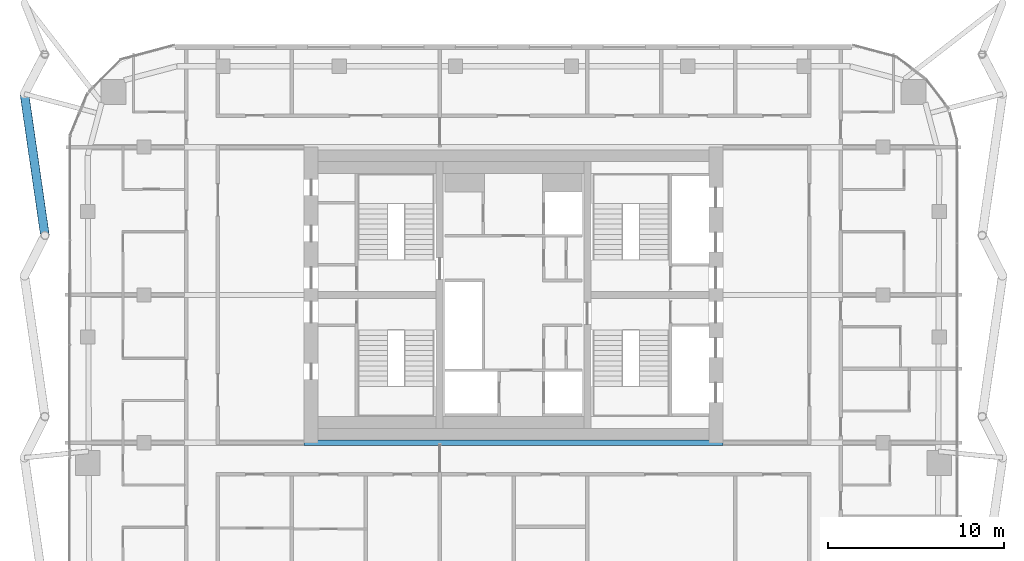
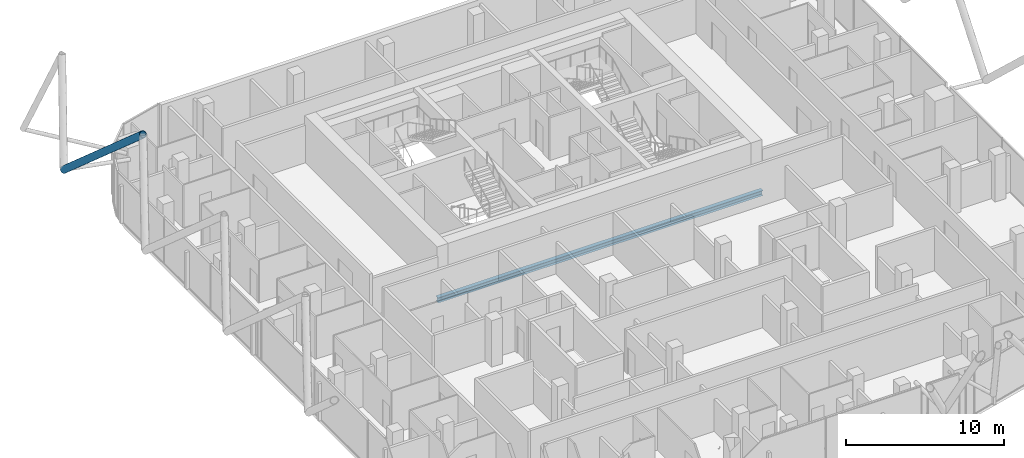
# One storey, part 9 of 33: 1 beam, 1 member.
"""IFC4 building model written with IfcOpenShell, lengths in metres."""

from ifc_helpers import new_model, si_unit, direction, frame, origin, origin_2d, place, context, subcontext, project, spatial, hollow_circle, i_section, extrude, material, material_profile, profile_set, type_object, element, save


model = new_model("IFC4")

# Units and contexts
model_context = context("Model", 3, precision=1e-05, world=origin(), true_north=direction((0.0, 1.0)))
body_context = subcontext(model_context, "Body", "Model", "MODEL_VIEW")
ifc_project = project(units=[si_unit("LENGTHUNIT", "METRE"), si_unit("AREAUNIT", "SQUARE_METRE"), si_unit("VOLUMEUNIT", "CUBIC_METRE"), si_unit("PLANEANGLEUNIT", "RADIAN"), si_unit("MASSUNIT", "GRAM", prefix="KILO")], contexts=[model_context])

# Site, building, storey
site_placement = place(None, origin())
site = spatial("IfcSite", under=ifc_project, at=site_placement, CompositionType="ELEMENT")
building_placement = place(site_placement, origin())
building = spatial("IfcBuilding", under=site, at=building_placement, Name="Marenta Gate Hotel Tower", CompositionType="ELEMENT")
storey_placement = place(building_placement, frame((0.0, 0.0, 248.89990234375)))
storey = spatial("IfcBuildingStorey", under=building, at=storey_placement, Name="L59", CompositionType="ELEMENT", Elevation=248.89990234375)

# Member
ifc_material_1 = material(Name="Steel S355J2W", Category="steel")
ifc_material_profile_1 = material_profile(ifc_material_1, hollow_circle(Radius=0.25390625, WallThickness=0.0400390625, at=origin_2d()), Name="CHS 508x40")
ifc_profile_set_1 = profile_set([ifc_material_profile_1], Name="Steel S355J2W")
member_type = type_object("IfcMemberType", Name="Diagrid diagonal T3 CHS 508x40", PredefinedType="BRACE", material=ifc_profile_set_1)
member_placement = place(storey_placement, frame((-27.800048828125, 19.830078125, 3.14013671875), z_axis=(0.107291679252, -0.740834206064, 0.663063477118), x_axis=(0.989674929117, 0.143330159689, 0.0)))
element("IfcMember", 1, at=member_placement, inside=storey, type_object=member_type, Name="L59-DG-33", PredefinedType="BRACE", context=body_context, shape_type="SweptSolid", body=[
    extrude(hollow_circle(Radius=0.25390625, WallThickness=0.0400390625, at=origin_2d()), origin(), (0.0, 0.0, 1.0), 10.858642578125),
])

# Beam
ifc_material_2 = material(Name="Steel S355", Category="steel")
ifc_material_profile_2 = material_profile(ifc_material_2, i_section(OverallWidth=0.300048828125, OverallDepth=0.39990234375, WebThickness=0.013427734375, FlangeThickness=0.02392578125, FilletRadius=0.027099609375, at=origin_2d()), Name="HEB 400")
ifc_profile_set_2 = profile_set([ifc_material_profile_2], Name="Steel S355")
beam_type = type_object("IfcBeamType", Name="Girder HEB 400", PredefinedType="BEAM", material=ifc_profile_set_2)
beam_placement = place(storey_placement, frame((-11.89990234375, 0.0, -0.4599609375), z_axis=(1.0, 0.0, 0.0), x_axis=(0.0, 1.0, 0.0)))
element("IfcBeam", 2, at=beam_placement, inside=storey, type_object=beam_type, Name="L59-GD-22", PredefinedType="BEAM", context=body_context, shape_type="SweptSolid", body=[
    extrude(i_section(OverallWidth=0.300048828125, OverallDepth=0.39990234375, WebThickness=0.013427734375, FlangeThickness=0.02392578125, FilletRadius=0.027099609375, at=origin_2d()), origin(), (0.0, 0.0, 1.0), 23.7998046875),
])

save(model, "model.ifc")
